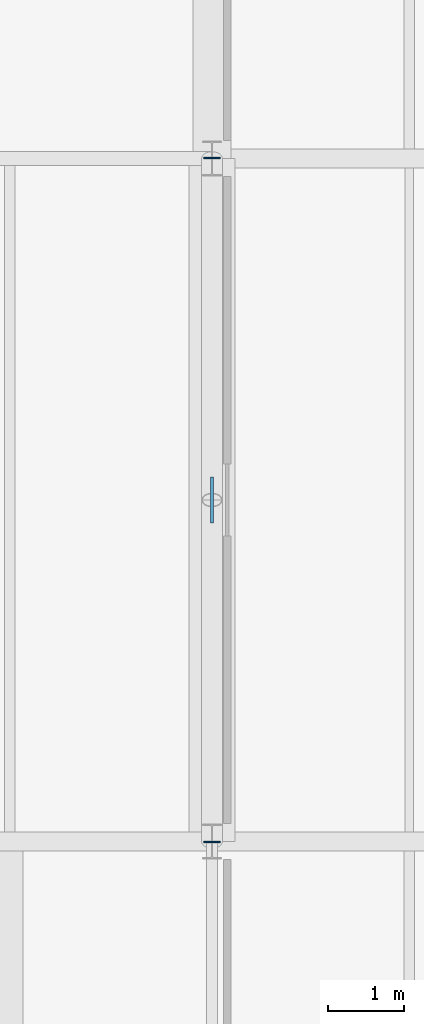
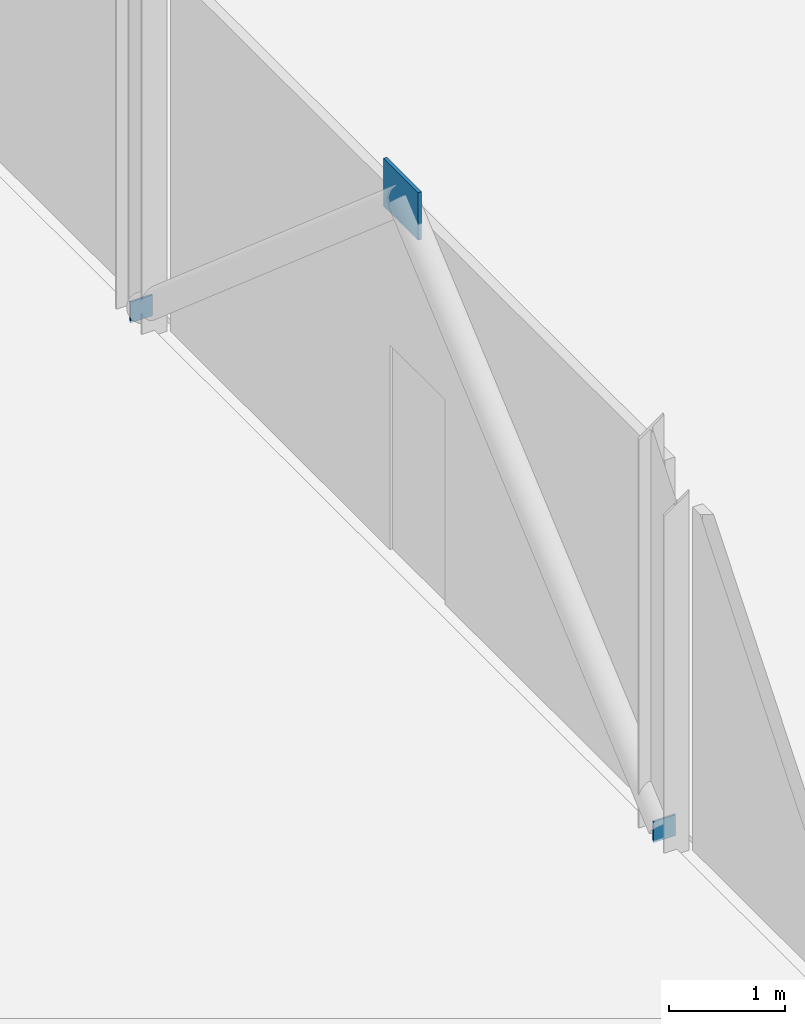
# One storey, part 27 of 38: 3 plates.
"""IFC4 building model written with IfcOpenShell, lengths in metres."""

from ifc_helpers import new_model, si_unit, derived_unit, direction, frame, origin, origin_2d, place, context, subcontext, project, spatial, rectangle, extrude, material, layer, layer_set, type_object, element, save


model = new_model("IFC4")

# Units and contexts
model_context = context("Model", 3, precision=1e-05, world=origin(), true_north=direction((0.0, 1.0)))
body_context = subcontext(model_context, "Body", "Model", "MODEL_VIEW")
ifc_project = project(units=[si_unit("LENGTHUNIT", "METRE"), si_unit("AREAUNIT", "SQUARE_METRE"), si_unit("VOLUMEUNIT", "CUBIC_METRE"), si_unit("PLANEANGLEUNIT", "RADIAN"), si_unit("MASSUNIT", "GRAM", prefix="KILO"), derived_unit("THERMALTRANSMITTANCEUNIT", [(si_unit("POWERUNIT", "WATT"), 1), (si_unit("LENGTHUNIT", "METRE"), -2), (si_unit("THERMODYNAMICTEMPERATUREUNIT", "KELVIN"), -1)])], contexts=[model_context])

# Site, building, storey
site_placement = place(None, origin())
site = spatial("IfcSite", under=ifc_project, at=site_placement, CompositionType="ELEMENT")
building_placement = place(site_placement, origin())
building = spatial("IfcBuilding", under=site, at=building_placement, Name="Nallur Shell Playhouse", CompositionType="ELEMENT")
storey_placement = place(building_placement, frame((0.0, 0.0, 24.300048828125)))
storey = spatial("IfcBuildingStorey", under=building, at=storey_placement, Name="L06", CompositionType="ELEMENT", Elevation=24.300048828125)

# Plates
ifc_material = material(Name="Steel E350", Category="steel")
ifc_layer_1 = layer(ifc_material, 0.02001953125)
ifc_layer_set_1 = layer_set([ifc_layer_1], Name="Steel E350")
plate_type_1 = type_object("IfcPlateType", Name="PT-ENDCAP-20", PredefinedType="SHEET", material=ifc_layer_set_1)
for number, where, z_axis, x_axis, name in (
    (1, (64.0, 55.992431640625, 0.033203125), (0.0, 0.0, 1.0), (1.0, 0.0, 0.0), "Hollow end cap EC-BR-FT-L06-041-0"),
    (2, (64.0, 65.007568359375, 0.033203125), (0.0, 0.0, 1.0), (1.0, 0.0, 0.0), "Hollow end cap EC-BR-FT-L06-042-0"),
):
    element("IfcPlate", number, at=place(storey_placement, frame(where, z_axis=z_axis, x_axis=x_axis)), inside=storey, type_object=plate_type_1, Name=name, PredefinedType="SHEET", context=body_context, shape_type="SweptSolid", body=[
        extrude(rectangle(XDim=0.219970703125, YDim=0.02001953125, at=origin_2d()), origin(), (0.0, 0.0, 1.0), 0.219970703125),
    ])
ifc_layer_2 = layer(ifc_material, 0.034912109375)
ifc_layer_set_2 = layer_set([ifc_layer_2], Name="Steel E350")
plate_type_2 = type_object("IfcPlateType", Name="PT-GUSSET-35", PredefinedType="USERDEFINED", material=ifc_layer_set_2)
plate_placement = place(storey_placement, frame((64.0, 60.5, 3.780029296875), z_axis=(0.0, 0.0, 1.0), x_axis=(1.0, 0.0, 0.0)))
element("IfcPlate", 3, at=plate_placement, inside=storey, type_object=plate_type_2, Name="Fly tower chevron node gusset plate TN-02 (L06)", ObjectType="GUSSET PLATE", PredefinedType="USERDEFINED", context=body_context, shape_type="SweptSolid", body=[
    extrude(rectangle(XDim=0.034912109375, YDim=0.60009765625, at=origin_2d()), origin(), (0.0, 0.0, 1.0), 0.5),
])

save(model, "model.ifc")
